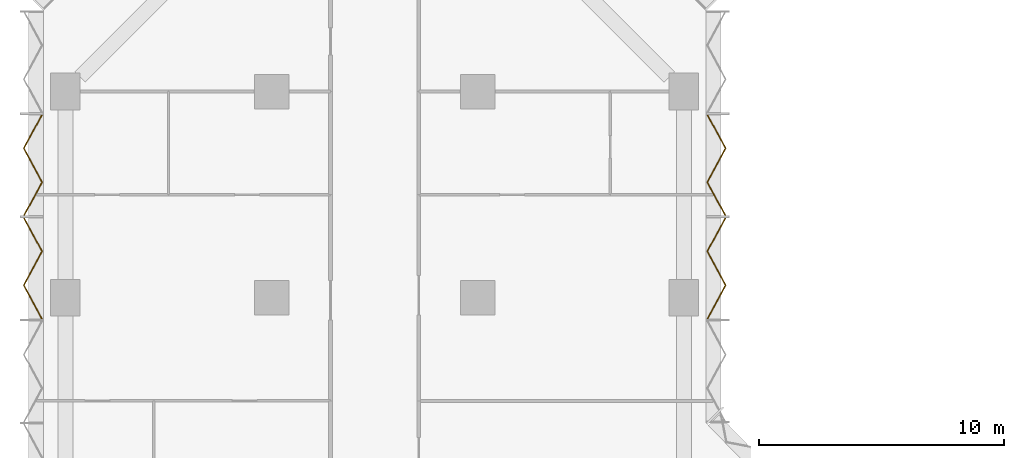
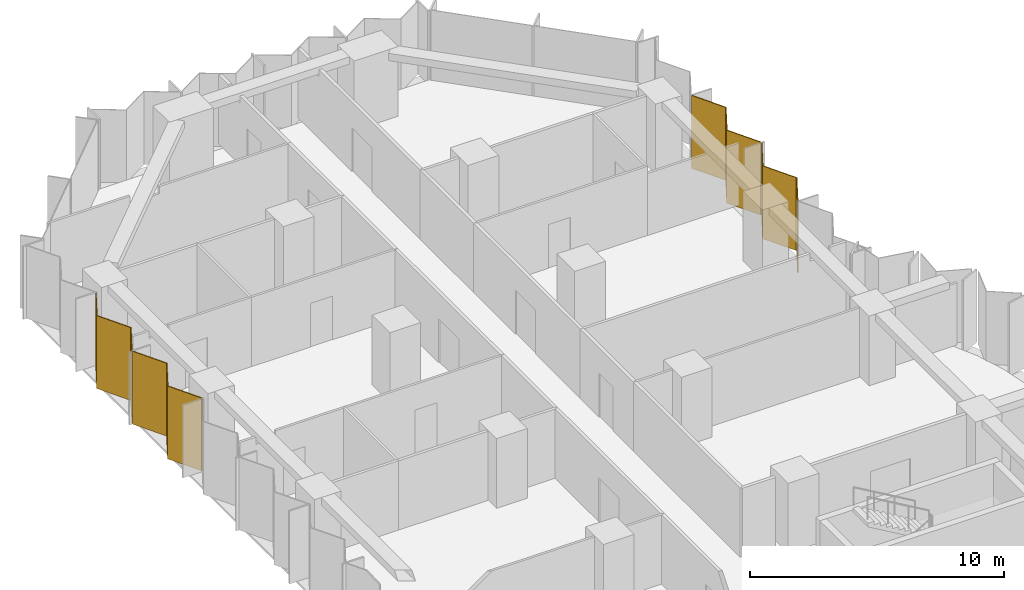
# One storey, part 15 of 15: 4 coverings, 2 elements without a shape of their own.
"""IFC4 building model written with IfcOpenShell, lengths in metres."""

from ifc_helpers import new_model, si_unit, direction, frame, origin, place, context, subcontext, project, spatial, polyline, outline, extrude, material, layer, layer_set, type_object, element, aggregate, save


model = new_model("IFC4")

# Units and contexts
model_context = context("Model", 3, precision=1e-05, world=origin(), true_north=direction((0.0, 1.0)))
body_context = subcontext(model_context, "Body", "Model", "MODEL_VIEW")
ifc_project = project(units=[si_unit("LENGTHUNIT", "METRE"), si_unit("AREAUNIT", "SQUARE_METRE"), si_unit("VOLUMEUNIT", "CUBIC_METRE"), si_unit("PLANEANGLEUNIT", "RADIAN"), si_unit("MASSUNIT", "GRAM", prefix="KILO")], contexts=[model_context])

# Site, building, storey
site_placement = place(None, origin())
site = spatial("IfcSite", under=ifc_project, at=site_placement, CompositionType="ELEMENT")
building_placement = place(site_placement, origin())
building = spatial("IfcBuilding", under=site, at=building_placement, Name="Brevane Broadcast Tower", CompositionType="ELEMENT")
storey_placement = place(building_placement, frame((0.0, 0.0, 58.10009765625)))
storey = spatial("IfcBuildingStorey", under=building, at=storey_placement, Name="L12", CompositionType="ELEMENT", Elevation=58.10009765625)

# Curtain wall, coverings
ifc_material_1 = material(Name="Aluminium 6063-T6 bronze anodised", Category="aluminium")
curtain_wall_type = type_object("IfcCurtainWallType", Name="CW-1 curtain wall", PredefinedType="NOTDEFINED", material=ifc_material_1)
curtain_wall_1_placement = place(storey_placement, origin())
curtain_wall_1 = element("IfcCurtainWall", 1, at=curtain_wall_1_placement, inside=storey, type_object=curtain_wall_type, Name="CW-1 typical tilted unit L12 north arm east face", PredefinedType="NOTDEFINED")
ifc_material_2 = material(Name="Back-painted bronze glass shadow-box", Category="glass")
ifc_layer = layer(ifc_material_2, 0.0400390625)
ifc_layer_set = layer_set([ifc_layer], Name="Shadow-box panel 40")
covering_type = type_object("IfcCoveringType", Name="Shadow-box panel 40", PredefinedType="CLADDING", material=ifc_layer_set)
covering_1_placement = place(storey_placement, frame((0.0, 0.0, -0.150146484375)))
covering_1 = element("IfcCovering", 2, at=covering_1_placement, type_object=covering_type, Name="Shadow-box panel", PredefinedType="CLADDING", context=body_context, shape_type="SweptSolid", body=[
    extrude(outline(polyline([(26.127197265625, 49.534912109375), (26.172607421875, 49.534912109375), (26.9169921875, 50.91162109375), (26.172607421875, 52.288330078125), (26.9169921875, 53.6650390625), (26.87158203125, 53.6650390625), (26.127197265625, 52.288330078125), (26.87158203125, 50.91162109375), (26.127197265625, 49.534912109375)])), origin(), (0.0, 0.0, 1.0), 3.5),
])
covering_2_placement = place(storey_placement, frame((0.0, 0.0, -0.150146484375)))
covering_2 = element("IfcCovering", 3, at=covering_2_placement, type_object=covering_type, Name="Shadow-box panel", PredefinedType="CLADDING", context=body_context, shape_type="SweptSolid", body=[
    extrude(outline(polyline([(26.87158203125, 53.735107421875), (26.9169921875, 53.735107421875), (26.172607421875, 55.11181640625), (26.9169921875, 56.48828125), (26.172607421875, 57.864990234375), (26.127197265625, 57.864990234375), (26.87158203125, 56.48828125), (26.127197265625, 55.11181640625), (26.87158203125, 53.735107421875)])), origin(), (0.0, 0.0, 1.0), 3.5),
])
aggregate(curtain_wall_1, [covering_1, covering_2])

curtain_wall_2_placement = place(storey_placement, origin())
curtain_wall_2 = element("IfcCurtainWall", 4, at=curtain_wall_2_placement, inside=storey, type_object=curtain_wall_type, Name="CW-1 typical tilted unit L12 west face", PredefinedType="NOTDEFINED")
covering_3_placement = place(storey_placement, frame((0.0, 0.0, -0.150146484375)))
covering_3 = element("IfcCovering", 5, at=covering_3_placement, type_object=covering_type, Name="Shadow-box panel", PredefinedType="CLADDING", context=body_context, shape_type="SweptSolid", body=[
    extrude(outline(polyline([(-0.92724609375, 57.864990234375), (-0.97265625, 57.864990234375), (-1.717041015625, 56.48828125), (-0.97265625, 55.11181640625), (-1.717041015625, 53.735107421875), (-1.671630859375, 53.735107421875), (-0.92724609375, 55.11181640625), (-1.671630859375, 56.48828125), (-0.92724609375, 57.864990234375)])), origin(), (0.0, 0.0, 1.0), 3.5),
])
covering_4_placement = place(storey_placement, frame((0.0, 0.0, -0.150146484375)))
covering_4 = element("IfcCovering", 6, at=covering_4_placement, type_object=covering_type, Name="Shadow-box panel", PredefinedType="CLADDING", context=body_context, shape_type="SweptSolid", body=[
    extrude(outline(polyline([(-1.671630859375, 53.6650390625), (-1.717041015625, 53.6650390625), (-0.97265625, 52.288330078125), (-1.717041015625, 50.91162109375), (-0.97265625, 49.534912109375), (-0.92724609375, 49.534912109375), (-1.671630859375, 50.91162109375), (-0.92724609375, 52.288330078125), (-1.671630859375, 53.6650390625)])), origin(), (0.0, 0.0, 1.0), 3.5),
])
aggregate(curtain_wall_2, [covering_3, covering_4])

save(model, "model.ifc")
